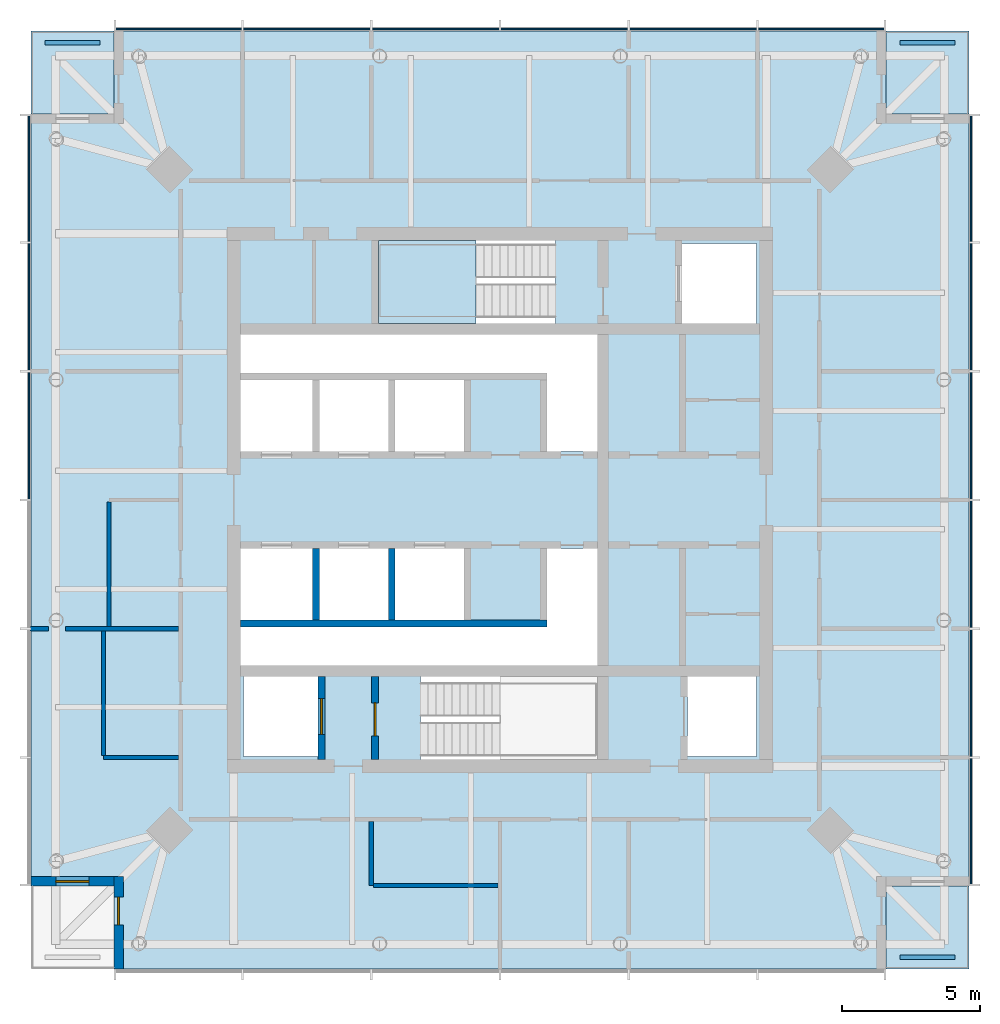
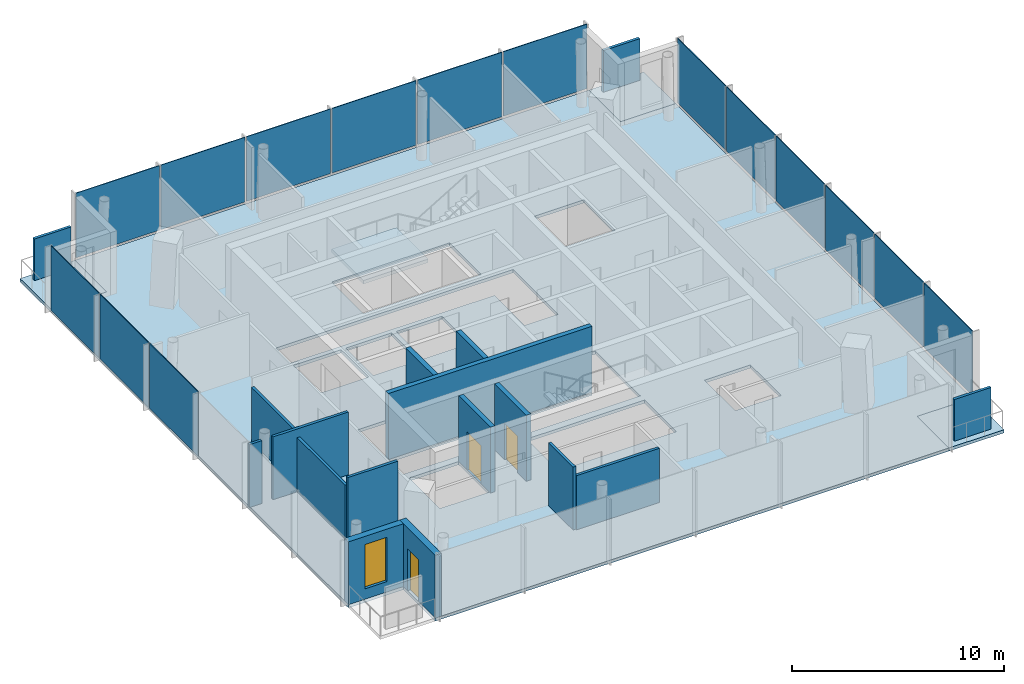
# One storey, part 3 of 7: 18 plates, 14 walls, 5 slabs, 3 doors, 1 window, 4 openings, 4 elements without a shape of their own.
"""IFC4 building model written with IfcOpenShell, lengths in metres."""

from ifc_helpers import new_model, si_unit, direction, frame, frame_2d, origin, origin_2d, place, context, subcontext, project, spatial, polyline, rectangle, outline, extrude, material, layer, layer_set, type_object, element, fill, aggregate, save


model = new_model("IFC4")

# Units and contexts
model_context = context("Model", 3, precision=1e-05, world=origin(), true_north=direction((0.0, 1.0)))
body_context = subcontext(model_context, "Body", "Model", "MODEL_VIEW")
ifc_project = project(units=[si_unit("LENGTHUNIT", "METRE"), si_unit("AREAUNIT", "SQUARE_METRE"), si_unit("VOLUMEUNIT", "CUBIC_METRE"), si_unit("PLANEANGLEUNIT", "RADIAN"), si_unit("MASSUNIT", "GRAM", prefix="KILO")], contexts=[model_context])

# Site, building, storey
site_placement = place(None, origin())
site = spatial("IfcSite", under=ifc_project, at=site_placement, CompositionType="ELEMENT")
building_placement = place(site_placement, origin())
building = spatial("IfcBuilding", under=site, at=building_placement, Name="Ostroluk Exchange", CompositionType="ELEMENT")
storey_placement = place(building_placement, frame((0.0, 0.0, 268.0)))
storey = spatial("IfcBuildingStorey", under=building, at=storey_placement, Name="L69", CompositionType="ELEMENT", Elevation=268.0)

# Slabs
ifc_material_1 = material(Name="Concrete C35/45", Category="concrete")
ifc_layer_1 = layer(ifc_material_1, 0.179931640625)
ifc_layer_set_1 = layer_set([ifc_layer_1], Name="Balcony slab 180")
slab_type_1 = type_object("IfcSlabType", Name="Balcony slab 180", PredefinedType="USERDEFINED", material=ifc_layer_set_1)
slab_1_placement = place(storey_placement, frame((0.0, 0.0, -0.179931640625)))
element("IfcSlab", 1, at=slab_1_placement, inside=storey, type_object=slab_type_1, Name="Office tower SE corner balcony L69", ObjectType="BALCONY", PredefinedType="USERDEFINED", context=body_context, shape_type="SweptSolid", body=[
    extrude(outline(polyline([(59.0, 29.0), (62.0, 29.0), (62.0, 32.0), (59.0, 32.0), (59.0, 29.0)])), origin(), (0.0, 0.0, 1.0), 0.179931640625),
])
slab_2_placement = place(storey_placement, frame((0.0, 0.0, -0.179931640625)))
element("IfcSlab", 2, at=slab_2_placement, inside=storey, type_object=slab_type_1, Name="Office tower NE corner balcony L69", ObjectType="BALCONY", PredefinedType="USERDEFINED", context=body_context, shape_type="SweptSolid", body=[
    extrude(outline(polyline([(59.0, 60.0), (62.0, 60.0), (62.0, 63.0), (59.0, 63.0), (59.0, 60.0)])), origin(), (0.0, 0.0, 1.0), 0.179931640625),
])
slab_3_placement = place(storey_placement, frame((0.0, 0.0, -0.179931640625)))
element("IfcSlab", 3, at=slab_3_placement, inside=storey, type_object=slab_type_1, Name="Office tower NW corner balcony L69", ObjectType="BALCONY", PredefinedType="USERDEFINED", context=body_context, shape_type="SweptSolid", body=[
    extrude(outline(polyline([(28.0, 60.0), (31.0, 60.0), (31.0, 63.0), (28.0, 63.0), (28.0, 60.0)])), origin(), (0.0, 0.0, 1.0), 0.179931640625),
])

# Plates
ifc_material_2 = material(Name="Steel S355 trellis with planting", Category="steel")
ifc_layer_2 = layer(ifc_material_2, 0.14990234375)
ifc_layer_set_2 = layer_set([ifc_layer_2], Name="Planted screen 150")
plate_type_1 = type_object("IfcPlateType", Name="Planted screen 150", PredefinedType="USERDEFINED", material=ifc_layer_set_2)
for number, where, z_axis, x_axis, name in (
    (4, (60.5, 29.425048828125, 0.0), (0.0, 0.0, 1.0), (1.0, 0.0, 0.0), "Office tower SE planted screen L69"),
    (5, (60.5, 62.574951171875, 0.0), (0.0, 0.0, 1.0), (1.0, 0.0, 0.0), "Office tower NE planted screen L69"),
    (6, (29.5, 62.574951171875, 0.0), (0.0, 0.0, 1.0), (1.0, 0.0, 0.0), "Office tower NW planted screen L69"),
):
    element("IfcPlate", number, at=place(storey_placement, frame(where, z_axis=z_axis, x_axis=x_axis)), inside=storey, type_object=plate_type_1, Name=name, ObjectType="PLANTED SCREEN", PredefinedType="USERDEFINED", context=body_context, shape_type="SweptSolid", body=[
        extrude(rectangle(XDim=2.0, YDim=0.14990234375, at=origin_2d()), origin(), (0.0, 0.0, 1.0), 2.39990234375),
    ])

# Stair, slab
ifc_material_3 = material(Name="Concrete C30/37", Category="concrete")
stair_type = type_object("IfcStairType", Name="Exit stair half turn 3800", PredefinedType="HALF_TURN_STAIR", material=ifc_material_3)
stair_placement = place(storey_placement, origin())
stair = element("IfcStair", 7, at=stair_placement, inside=storey, type_object=stair_type, Name="Stair T1-S2 L69", PredefinedType="HALF_TURN_STAIR")
ifc_material_4 = material(Name="Concrete C30/37", Category="concrete")
ifc_layer_3 = layer(ifc_material_4, 0.199951171875)
ifc_layer_set_3 = layer_set([ifc_layer_3], Name="Stair landing 200")
slab_type_2 = type_object("IfcSlabType", Name="Stair landing 200", PredefinedType="LANDING", material=ifc_layer_set_3)
slab_4_placement = place(storey_placement, frame((0.0, 0.0, 1.699951171875)))
slab_4 = element("IfcSlab", 8, at=slab_4_placement, type_object=slab_type_2, Name="T1-S2 landing 1", PredefinedType="LANDING", context=body_context, shape_type="SweptSolid", body=[
    extrude(outline(polyline([(44.1298828125, 52.39990234375), (44.1298828125, 55.39990234375), (40.60009765625, 55.39990234375), (40.60009765625, 52.39990234375), (44.1298828125, 52.39990234375)])), origin(), (0.0, 0.0, 1.0), 0.199951171875),
])
aggregate(stair, [slab_4])

# Slab
ifc_material_5 = material(Name="Concrete C35/45", Category="concrete")
ifc_layer_4 = layer(ifc_material_5, 0.179931640625)
ifc_layer_set_4 = layer_set([ifc_layer_4], Name="Tower floor slab 180 composite")
slab_type_3 = type_object("IfcSlabType", Name="Tower floor slab 180 composite", PredefinedType="FLOOR", material=ifc_layer_set_4)
slab_5_placement = place(storey_placement, frame((0.0, 0.0, -0.179931640625)))
element("IfcSlab", 9, at=slab_5_placement, inside=storey, type_object=slab_type_3, Name="Office tower floor slab L69", PredefinedType="FLOOR", context=body_context, shape_type="SweptSolid", body=[
    extrude(outline(polyline([(31.0, 29.0), (59.0, 29.0), (59.0, 32.0), (62.0, 32.0), (62.0, 60.0), (59.0, 60.0), (59.0, 63.0), (31.0, 63.0), (31.0, 60.0), (28.0, 60.0), (28.0, 32.0), (31.0, 32.0), (31.0, 29.0)]), holes=[polyline([(35.699951171875, 36.699951171875), (38.39990234375, 36.699951171875), (38.39990234375, 39.60009765625), (35.699951171875, 39.60009765625), (35.699951171875, 36.699951171875)]), polyline([(42.110107421875, 36.60009765625), (48.530029296875, 36.60009765625), (48.530029296875, 39.60009765625), (42.110107421875, 39.60009765625), (42.110107421875, 36.60009765625)]), polyline([(51.800048828125, 36.699951171875), (54.300048828125, 36.699951171875), (54.300048828125, 39.60009765625), (51.800048828125, 39.60009765625), (51.800048828125, 36.699951171875)]), polyline([(40.60009765625, 52.39990234375), (47.02001953125, 52.39990234375), (47.02001953125, 55.39990234375), (40.60009765625, 55.39990234375), (40.60009765625, 52.39990234375)]), polyline([(51.60009765625, 52.39990234375), (54.300048828125, 52.39990234375), (54.300048828125, 55.300048828125), (51.60009765625, 55.300048828125), (51.60009765625, 52.39990234375)]), polyline([(35.60009765625, 47.75), (38.199951171875, 47.75), (38.199951171875, 50.35009765625), (35.60009765625, 50.35009765625), (35.60009765625, 47.75)]), polyline([(38.449951171875, 47.75), (40.949951171875, 47.75), (40.949951171875, 50.35009765625), (38.449951171875, 50.35009765625), (38.449951171875, 47.75)]), polyline([(41.199951171875, 47.75), (43.699951171875, 47.75), (43.699951171875, 50.35009765625), (41.199951171875, 50.35009765625), (41.199951171875, 47.75)]), polyline([(35.60009765625, 41.64990234375), (38.199951171875, 41.64990234375), (38.199951171875, 44.25), (35.60009765625, 44.25), (35.60009765625, 41.64990234375)]), polyline([(38.449951171875, 41.64990234375), (40.949951171875, 41.64990234375), (40.949951171875, 44.25), (38.449951171875, 44.25), (38.449951171875, 41.64990234375)]), polyline([(41.199951171875, 41.64990234375), (43.699951171875, 41.64990234375), (43.699951171875, 44.25), (41.199951171875, 44.25), (41.199951171875, 41.64990234375)]), polyline([(48.530029296875, 52.0), (48.530029296875, 47.75), (46.699951171875, 47.75), (46.699951171875, 50.60009765625), (35.60009765625, 50.60009765625), (35.60009765625, 52.0), (48.530029296875, 52.0)]), polyline([(35.60009765625, 40.0), (35.60009765625, 41.39990234375), (46.699951171875, 41.39990234375), (46.699951171875, 44.25), (48.530029296875, 44.25), (48.530029296875, 40.0), (35.60009765625, 40.0)])]), origin(), (0.0, 0.0, 1.0), 0.179931640625),
])

# Curtain wall, plates
ifc_material_6 = material(Name="Laminated clear glass", Category="glass")
curtain_wall_type = type_object("IfcCurtainWallType", Name="Office tower facade", PredefinedType="USERDEFINED", material=ifc_material_6)
curtain_wall_1_placement = place(storey_placement, origin())
curtain_wall_1 = element("IfcCurtainWall", 10, at=curtain_wall_1_placement, inside=storey, type_object=curtain_wall_type, Name="Office tower east facade L69", ObjectType="UNITISED CURTAIN WALL", PredefinedType="USERDEFINED")
ifc_material_7 = material(Name="Laminated clear glass", Category="glass")
ifc_layer_5 = layer(ifc_material_7, 0.0439453125)
ifc_layer_set_5 = layer_set([ifc_layer_5], Name="Triple laminated clear glazing 44")
plate_type_2 = type_object("IfcPlateType", Name="Triple laminated clear glazing 44", PredefinedType="CURTAIN_PANEL", material=ifc_layer_set_5)
plate_1_placement = place(storey_placement, frame((62.074951171875, 34.353271484375, 0.080078125), z_axis=(0.0, 0.0, 1.0), x_axis=(0.0, 1.0, 0.0)))
plate_1 = element("IfcPlate", 11, at=plate_1_placement, type_object=plate_type_2, Name="CW-O1 panel 1.1", PredefinedType="CURTAIN_PANEL", context=body_context, shape_type="SweptSolid", body=[
    extrude(rectangle(XDim=4.546630859375, YDim=0.0439453125, at=origin_2d()), origin(), (0.0, 0.0, 1.0), 3.719970703125),
])
plate_2_placement = place(storey_placement, frame((62.074951171875, 39.0, 0.080078125), z_axis=(0.0, 0.0, 1.0), x_axis=(0.0, 1.0, 0.0)))
plate_2 = element("IfcPlate", 12, at=plate_2_placement, type_object=plate_type_2, Name="CW-O1 panel 2.1", PredefinedType="CURTAIN_PANEL", context=body_context, shape_type="SweptSolid", body=[
    extrude(rectangle(XDim=4.586669921875, YDim=0.0439453125, at=origin_2d()), origin(), (0.0, 0.0, 1.0), 3.719970703125),
])
plate_3_placement = place(storey_placement, frame((62.074951171875, 43.666748046875, 0.080078125), z_axis=(0.0, 0.0, 1.0), x_axis=(0.0, 1.0, 0.0)))
plate_3 = element("IfcPlate", 13, at=plate_3_placement, type_object=plate_type_2, Name="CW-O1 panel 3.1", PredefinedType="CURTAIN_PANEL", context=body_context, shape_type="SweptSolid", body=[
    extrude(rectangle(XDim=4.586669921875, YDim=0.0439453125, at=origin_2d()), origin(), (0.0, 0.0, 1.0), 3.719970703125),
])
plate_4_placement = place(storey_placement, frame((62.074951171875, 48.333251953125, 0.080078125), z_axis=(0.0, 0.0, 1.0), x_axis=(0.0, 1.0, 0.0)))
plate_4 = element("IfcPlate", 14, at=plate_4_placement, type_object=plate_type_2, Name="CW-O1 panel 4.1", PredefinedType="CURTAIN_PANEL", context=body_context, shape_type="SweptSolid", body=[
    extrude(rectangle(XDim=4.586669921875, YDim=0.0439453125, at=origin_2d()), origin(), (0.0, 0.0, 1.0), 3.719970703125),
])
plate_5_placement = place(storey_placement, frame((62.074951171875, 53.0, 0.080078125), z_axis=(0.0, 0.0, 1.0), x_axis=(0.0, 1.0, 0.0)))
plate_5 = element("IfcPlate", 15, at=plate_5_placement, type_object=plate_type_2, Name="CW-O1 panel 5.1", PredefinedType="CURTAIN_PANEL", context=body_context, shape_type="SweptSolid", body=[
    extrude(rectangle(XDim=4.586669921875, YDim=0.0439453125, at=origin_2d()), origin(), (0.0, 0.0, 1.0), 3.719970703125),
])
plate_6_placement = place(storey_placement, frame((62.074951171875, 57.646728515625, 0.080078125), z_axis=(0.0, 0.0, 1.0), x_axis=(0.0, 1.0, 0.0)))
plate_6 = element("IfcPlate", 16, at=plate_6_placement, type_object=plate_type_2, Name="CW-O1 panel 6.1", PredefinedType="CURTAIN_PANEL", context=body_context, shape_type="SweptSolid", body=[
    extrude(rectangle(XDim=4.546630859375, YDim=0.0439453125, at=origin_2d()), origin(), (0.0, 0.0, 1.0), 3.719970703125),
])
aggregate(curtain_wall_1, [plate_1, plate_2, plate_3, plate_4, plate_5, plate_6])

curtain_wall_2_placement = place(storey_placement, origin())
curtain_wall_2 = element("IfcCurtainWall", 17, at=curtain_wall_2_placement, inside=storey, type_object=curtain_wall_type, Name="Office tower north facade L69", ObjectType="UNITISED CURTAIN WALL", PredefinedType="USERDEFINED")
plate_7_placement = place(storey_placement, frame((56.646728515625, 63.074951171875, 0.080078125), z_axis=(0.0, 0.0, 1.0), x_axis=(-1.0, 0.0, 0.0)))
plate_7 = element("IfcPlate", 18, at=plate_7_placement, type_object=plate_type_2, Name="CW-O1 panel 1.1", PredefinedType="CURTAIN_PANEL", context=body_context, shape_type="SweptSolid", body=[
    extrude(rectangle(XDim=4.546630859375, YDim=0.0439453125, at=origin_2d()), origin(), (0.0, 0.0, 1.0), 3.719970703125),
])
plate_8_placement = place(storey_placement, frame((52.0, 63.074951171875, 0.080078125), z_axis=(0.0, 0.0, 1.0), x_axis=(-1.0, 0.0, 0.0)))
plate_8 = element("IfcPlate", 19, at=plate_8_placement, type_object=plate_type_2, Name="CW-O1 panel 2.1", PredefinedType="CURTAIN_PANEL", context=body_context, shape_type="SweptSolid", body=[
    extrude(rectangle(XDim=4.586669921875, YDim=0.0439453125, at=origin_2d()), origin(), (0.0, 0.0, 1.0), 3.719970703125),
])
plate_9_placement = place(storey_placement, frame((47.333251953125, 63.074951171875, 0.080078125), z_axis=(0.0, 0.0, 1.0), x_axis=(-1.0, 0.0, 0.0)))
plate_9 = element("IfcPlate", 20, at=plate_9_placement, type_object=plate_type_2, Name="CW-O1 panel 3.1", PredefinedType="CURTAIN_PANEL", context=body_context, shape_type="SweptSolid", body=[
    extrude(rectangle(XDim=4.586669921875, YDim=0.0439453125, at=origin_2d()), origin(), (0.0, 0.0, 1.0), 3.719970703125),
])
plate_10_placement = place(storey_placement, frame((42.666748046875, 63.074951171875, 0.080078125), z_axis=(0.0, 0.0, 1.0), x_axis=(-1.0, 0.0, 0.0)))
plate_10 = element("IfcPlate", 21, at=plate_10_placement, type_object=plate_type_2, Name="CW-O1 panel 4.1", PredefinedType="CURTAIN_PANEL", context=body_context, shape_type="SweptSolid", body=[
    extrude(rectangle(XDim=4.586669921875, YDim=0.0439453125, at=origin_2d()), origin(), (0.0, 0.0, 1.0), 3.719970703125),
])
plate_11_placement = place(storey_placement, frame((38.0, 63.074951171875, 0.080078125), z_axis=(0.0, 0.0, 1.0), x_axis=(-1.0, 0.0, 0.0)))
plate_11 = element("IfcPlate", 22, at=plate_11_placement, type_object=plate_type_2, Name="CW-O1 panel 5.1", PredefinedType="CURTAIN_PANEL", context=body_context, shape_type="SweptSolid", body=[
    extrude(rectangle(XDim=4.586669921875, YDim=0.0439453125, at=origin_2d()), origin(), (0.0, 0.0, 1.0), 3.719970703125),
])
plate_12_placement = place(storey_placement, frame((33.353271484375, 63.074951171875, 0.080078125), z_axis=(0.0, 0.0, 1.0), x_axis=(-1.0, 0.0, 0.0)))
plate_12 = element("IfcPlate", 23, at=plate_12_placement, type_object=plate_type_2, Name="CW-O1 panel 6.1", PredefinedType="CURTAIN_PANEL", context=body_context, shape_type="SweptSolid", body=[
    extrude(rectangle(XDim=4.546630859375, YDim=0.0439453125, at=origin_2d()), origin(), (0.0, 0.0, 1.0), 3.719970703125),
])
aggregate(curtain_wall_2, [plate_7, plate_8, plate_9, plate_10, plate_11, plate_12])

curtain_wall_3_placement = place(storey_placement, origin())
curtain_wall_3 = element("IfcCurtainWall", 24, at=curtain_wall_3_placement, inside=storey, type_object=curtain_wall_type, Name="Office tower west facade L69", ObjectType="UNITISED CURTAIN WALL", PredefinedType="USERDEFINED")
plate_13_placement = place(storey_placement, frame((27.925048828125, 57.646728515625, 0.080078125), z_axis=(0.0, 0.0, 1.0), x_axis=(0.0, -1.0, 0.0)))
plate_13 = element("IfcPlate", 25, at=plate_13_placement, type_object=plate_type_2, Name="CW-O1 panel 1.1", PredefinedType="CURTAIN_PANEL", context=body_context, shape_type="SweptSolid", body=[
    extrude(rectangle(XDim=4.546630859375, YDim=0.0439453125, at=origin_2d()), origin(), (0.0, 0.0, 1.0), 3.719970703125),
])
plate_14_placement = place(storey_placement, frame((27.925048828125, 53.0, 0.080078125), z_axis=(0.0, 0.0, 1.0), x_axis=(0.0, -1.0, 0.0)))
plate_14 = element("IfcPlate", 26, at=plate_14_placement, type_object=plate_type_2, Name="CW-O1 panel 2.1", PredefinedType="CURTAIN_PANEL", context=body_context, shape_type="SweptSolid", body=[
    extrude(rectangle(XDim=4.586669921875, YDim=0.0439453125, at=origin_2d()), origin(), (0.0, 0.0, 1.0), 3.719970703125),
])
plate_15_placement = place(storey_placement, frame((27.925048828125, 48.333251953125, 0.080078125), z_axis=(0.0, 0.0, 1.0), x_axis=(0.0, -1.0, 0.0)))
plate_15 = element("IfcPlate", 27, at=plate_15_placement, type_object=plate_type_2, Name="CW-O1 panel 3.1", PredefinedType="CURTAIN_PANEL", context=body_context, shape_type="SweptSolid", body=[
    extrude(rectangle(XDim=4.586669921875, YDim=0.0439453125, at=origin_2d()), origin(), (0.0, 0.0, 1.0), 3.719970703125),
])
aggregate(curtain_wall_3, [plate_13, plate_14, plate_15])

# Wall, opening, door
ifc_material_8 = material(Name="Concrete C40/50", Category="concrete")
ifc_layer_6 = layer(ifc_material_8, 0.25)
ifc_layer_set_6 = layer_set([ifc_layer_6], Name="Core shaft wall 250")
wall_type_1 = type_object("IfcWallType", Name="Core shaft wall 250", PredefinedType="SHEAR", material=ifc_layer_set_6)
wall_1_placement = place(storey_placement, frame((38.52490234375, 36.60009765625, 0.0), z_axis=(0.0, 0.0, 1.0), x_axis=(0.0, 1.0, 0.0)))
wall_1 = element("IfcWall", 28, at=wall_1_placement, inside=storey, type_object=wall_type_1, Name="Firefighting lift shaft wall", PredefinedType="SHEAR", context=body_context, shape_type="SweptSolid", body=[
    extrude(rectangle(XDim=3.0, YDim=0.25, at=frame_2d((1.5, 0.0))), origin(), (0.0, 0.0, 1.0), 3.800048828125),
])
opening_1_placement = place(wall_1_placement, frame((0.89990234375, 0.0, 0.0)))
opening_1 = element("IfcOpeningElement", 29, at=opening_1_placement, cuts=wall_1, Name="Opening LD2", PredefinedType="OPENING", context=body_context, shape_type="SweptSolid", body=[
    extrude(rectangle(XDim=1.300048828125, YDim=2.199951171875, at=frame_2d((0.64990234375, 1.10009765625))), frame((0.0, 0.135009765625, 0.0), z_axis=(0.0, -1.0, 0.0), x_axis=(1.0, 0.0, 0.0)), (0.0, 0.0, 1.0), 0.27001953125),
])
ifc_material_9 = material(Name="Stainless steel", Category="steel")
door_type_1 = type_object("IfcDoorType", Name="Lift landing door E 60 1300 x 2200", OperationType="DOUBLE_DOOR_SLIDING", PredefinedType="DOOR", material=ifc_material_9)
door_1_placement = place(opening_1_placement, origin())
door_1 = element("IfcDoor", 30, at=door_1_placement, inside=storey, type_object=door_type_1, Name="Lift FL1 landing door", OperationType="DOUBLE_DOOR_SLIDING", OverallHeight=2.199951171875, OverallWidth=1.300048828125, PredefinedType="DOOR", context=body_context, shape_type="SweptSolid", body=[
    extrude(rectangle(XDim=1.300048828125, YDim=2.199951171875, at=frame_2d((0.64990234375, 1.10009765625))), frame((0.0, 0.02490234375, 0.0), z_axis=(0.0, -1.0, 0.0), x_axis=(1.0, 0.0, 0.0)), (0.0, 0.0, 1.0), 0.050048828125),
])
fill(opening_1, door_1)

wall_2_placement = place(storey_placement, frame((40.47509765625, 36.60009765625, 0.0), z_axis=(0.0, 0.0, 1.0), x_axis=(0.0, 1.0, 0.0)))
wall_2 = element("IfcWall", 31, at=wall_2_placement, inside=storey, type_object=wall_type_1, Name="Stair shaft wall", PredefinedType="SHEAR", context=body_context, shape_type="SweptSolid", body=[
    extrude(rectangle(XDim=3.0, YDim=0.25, at=frame_2d((1.5, 0.0))), origin(), (0.0, 0.0, 1.0), 3.800048828125),
])
opening_2_placement = place(wall_2_placement, frame((0.85009765625, 0.0, 0.0)))
opening_2 = element("IfcOpeningElement", 32, at=opening_2_placement, cuts=wall_2, Name="Opening FD60S", PredefinedType="OPENING", context=body_context, shape_type="SweptSolid", body=[
    extrude(rectangle(XDim=1.199951171875, YDim=2.10009765625, at=frame_2d((0.60009765625, 1.050048828125))), frame((0.0, 0.135009765625, 0.0), z_axis=(0.0, -1.0, 0.0), x_axis=(1.0, 0.0, 0.0)), (0.0, 0.0, 1.0), 0.27001953125),
])
ifc_material_10 = material(Name="Steel", Category="steel")
door_type_2 = type_object("IfcDoorType", Name="Stair door EI 60 1200 x 2100", OperationType="SINGLE_SWING_LEFT", PredefinedType="DOOR", material=ifc_material_10)
door_2_placement = place(opening_2_placement, origin())
door_2 = element("IfcDoor", 33, at=door_2_placement, inside=storey, type_object=door_type_2, Name="Stair T1-S1 door", OperationType="SINGLE_SWING_LEFT", OverallHeight=2.10009765625, OverallWidth=1.199951171875, PredefinedType="DOOR", context=body_context, shape_type="SweptSolid", body=[
    extrude(rectangle(XDim=1.199951171875, YDim=2.10009765625, at=frame_2d((0.60009765625, 1.050048828125))), frame((0.0, 0.02490234375, 0.0), z_axis=(0.0, -1.0, 0.0), x_axis=(1.0, 0.0, 0.0)), (0.0, 0.0, 1.0), 0.050048828125),
])
fill(opening_2, door_2)

# Walls
for number, where, z_axis, x_axis, name in (
    (34, (38.324951171875, 44.25, 0.0), (0.0, 0.0, 1.0), (0.0, -1.0, 0.0), "Lift shaft wall"),
    (35, (41.074951171875, 44.25, 0.0), (0.0, 0.0, 1.0), (0.0, -1.0, 0.0), "Lift shaft wall"),
):
    element("IfcWall", number, at=place(storey_placement, frame(where, z_axis=z_axis, x_axis=x_axis)), inside=storey, type_object=wall_type_1, Name=name, PredefinedType="SHEAR", context=body_context, shape_type="SweptSolid", body=[
        extrude(rectangle(XDim=2.60009765625, YDim=0.25, at=frame_2d((1.300048828125, 0.0))), origin(), (0.0, 0.0, 1.0), 3.800048828125),
    ])
wall_3_placement = place(storey_placement, frame((35.60009765625, 41.52490234375, 0.0), z_axis=(0.0, 0.0, 1.0), x_axis=(1.0, 0.0, 0.0)))
element("IfcWall", 36, at=wall_3_placement, inside=storey, type_object=wall_type_1, Name="Lift shaft wall", PredefinedType="SHEAR", context=body_context, shape_type="SweptSolid", body=[
    extrude(rectangle(XDim=11.099853515625, YDim=0.25, at=frame_2d((5.5498046875, 0.0))), origin(), (0.0, 0.0, 1.0), 3.800048828125),
])

# Wall, opening, door
ifc_material_11 = material(Name="Limestone", Category="masonry")
ifc_layer_7 = layer(ifc_material_11, 0.35009765625)
ifc_layer_set_7 = layer_set([ifc_layer_7], Name="Limestone facade wall 350")
wall_type_2 = type_object("IfcWallType", Name="Limestone facade wall 350", PredefinedType="SOLIDWALL", material=ifc_layer_set_7)
wall_4_placement = place(storey_placement, frame((31.175048828125, 29.0, 0.0), z_axis=(0.0, 0.0, 1.0), x_axis=(0.0, 1.0, 0.0)))
wall_4 = element("IfcWall", 37, at=wall_4_placement, inside=storey, type_object=wall_type_2, Name="Office tower SW corner wall L69 a", PredefinedType="SOLIDWALL", context=body_context, shape_type="SweptSolid", body=[
    extrude(rectangle(XDim=3.35009765625, YDim=0.35009765625, at=frame_2d((1.675048828125, 0.0))), origin(), (0.0, 0.0, 1.0), 3.6201171875),
])
opening_3_placement = place(wall_4_placement, frame((1.60009765625, 0.0, 0.0)))
opening_3 = element("IfcOpeningElement", 38, at=opening_3_placement, cuts=wall_4, Name="Opening D-B1", PredefinedType="OPENING", context=body_context, shape_type="SweptSolid", body=[
    extrude(rectangle(XDim=1.0, YDim=2.39990234375, at=frame_2d((0.5, 1.199951171875))), frame((0.0, 0.18505859375, 0.0), z_axis=(0.0, -1.0, 0.0), x_axis=(1.0, 0.0, 0.0)), (0.0, 0.0, 1.0), 0.3701171875),
])
ifc_material_12 = material(Name="Bronze framed glazed door", Category="aluminium")
door_type_3 = type_object("IfcDoorType", Name="Balcony door 1000 x 2400", OperationType="SINGLE_SWING_LEFT", PredefinedType="DOOR", material=ifc_material_12)
door_3_placement = place(opening_3_placement, origin())
door_3 = element("IfcDoor", 39, at=door_3_placement, inside=storey, type_object=door_type_3, Name="Office tower SW balcony door L69", OperationType="SINGLE_SWING_RIGHT", OverallHeight=2.39990234375, OverallWidth=1.0, PredefinedType="DOOR", context=body_context, shape_type="SweptSolid", body=[
    extrude(rectangle(XDim=1.0, YDim=2.39990234375, at=frame_2d((0.5, 1.199951171875))), frame((0.0, 0.02490234375, 0.0), z_axis=(0.0, -1.0, 0.0), x_axis=(1.0, 0.0, 0.0)), (0.0, 0.0, 1.0), 0.050048828125),
])
fill(opening_3, door_3)

# Wall, opening, window
wall_5_placement = place(storey_placement, frame((31.0, 32.175048828125, 0.0), z_axis=(0.0, 0.0, 1.0), x_axis=(-1.0, 0.0, 0.0)))
wall_5 = element("IfcWall", 40, at=wall_5_placement, inside=storey, type_object=wall_type_2, Name="Office tower SW corner wall L69 b", PredefinedType="SOLIDWALL", context=body_context, shape_type="SweptSolid", body=[
    extrude(rectangle(XDim=3.0, YDim=0.35009765625, at=frame_2d((1.5, 0.0))), origin(), (0.0, 0.0, 1.0), 3.6201171875),
])
opening_4_placement = place(wall_5_placement, frame((0.89990234375, 0.0, 0.60009765625)))
opening_4 = element("IfcOpeningElement", 41, at=opening_4_placement, cuts=wall_5, Name="Opening WN-L1", PredefinedType="OPENING", context=body_context, shape_type="SweptSolid", body=[
    extrude(rectangle(XDim=1.199951171875, YDim=2.550048828125, at=frame_2d((0.60009765625, 1.27490234375))), frame((0.0, 0.18505859375, 0.0), z_axis=(0.0, -1.0, 0.0), x_axis=(1.0, 0.0, 0.0)), (0.0, 0.0, 1.0), 0.3701171875),
])
ifc_material_13 = material(Name="Laminated clear glass", Category="glass")
window_type = type_object("IfcWindowType", Name="Lancet window 1200 x 2550", PartitioningType="SINGLE_PANEL", PredefinedType="WINDOW", material=ifc_material_13)
window_placement = place(opening_4_placement, origin())
window = element("IfcWindow", 42, at=window_placement, inside=storey, type_object=window_type, Name="Office tower SW lancet window L69", OverallHeight=2.550048828125, OverallWidth=1.199951171875, PartitioningType="SINGLE_PANEL", PredefinedType="WINDOW", context=body_context, shape_type="SweptSolid", body=[
    extrude(rectangle(XDim=1.199951171875, YDim=2.550048828125, at=frame_2d((0.60009765625, 1.27490234375))), frame((0.0, 0.030029296875, 0.0), z_axis=(0.0, -1.0, 0.0), x_axis=(1.0, 0.0, 0.0)), (0.0, 0.0, 1.0), 0.06005859375),
])
fill(opening_4, window)

# Walls
ifc_material_14 = material(Name="Gypsum plasterboard partition", Category="gypsum")
ifc_layer_8 = layer(ifc_material_14, 0.14990234375)
ifc_layer_set_8 = layer_set([ifc_layer_8], Name="Plasterboard partition 150")
wall_type_3 = type_object("IfcWallType", Name="Plasterboard partition 150", PredefinedType="PARTITIONING", material=ifc_layer_set_8)
wall_6_placement = place(storey_placement, frame((33.35009765625, 41.333251953125, 0.0), z_axis=(0.0, 0.0, 1.0), x_axis=(-1.0, 0.0, 0.0)))
element("IfcWall", 43, at=wall_6_placement, inside=storey, type_object=wall_type_3, Name="Partition", PredefinedType="PARTITIONING", context=body_context, shape_type="SweptSolid", body=[
    extrude(rectangle(XDim=4.109130859375, YDim=0.14990234375, at=frame_2d((2.0546875, 0.0))), origin(), (0.0, 0.0, 1.0), 3.6201171875),
])
wall_7_placement = place(storey_placement, frame((28.638916015625, 41.333251953125, 0.0), z_axis=(0.0, 0.0, 1.0), x_axis=(-1.0, 0.0, 0.0)))
element("IfcWall", 44, at=wall_7_placement, inside=storey, type_object=wall_type_3, Name="Partition", PredefinedType="PARTITIONING", context=body_context, shape_type="SweptSolid", body=[
    extrude(rectangle(XDim=0.678955078125, YDim=0.14990234375, at=frame_2d((0.33935546875, 0.0))), origin(), (0.0, 0.0, 1.0), 3.6201171875),
])
wall_8_placement = place(storey_placement, frame((33.35009765625, 36.666748046875, 0.0), z_axis=(0.0, 0.0, 1.0), x_axis=(-1.0, 0.0, 0.0)))
element("IfcWall", 45, at=wall_8_placement, inside=storey, type_object=wall_type_3, Name="Partition", PredefinedType="PARTITIONING", context=body_context, shape_type="SweptSolid", body=[
    extrude(rectangle(XDim=2.72509765625, YDim=0.14990234375, at=frame_2d((1.362548828125, 0.0))), origin(), (0.0, 0.0, 1.0), 3.6201171875),
])
wall_9_placement = place(storey_placement, frame((40.408447265625, 32.02490234375, 0.0), z_axis=(0.0, 0.0, 1.0), x_axis=(1.0, 0.0, 0.0)))
element("IfcWall", 46, at=wall_9_placement, inside=storey, type_object=wall_type_3, Name="Partition", PredefinedType="PARTITIONING", context=body_context, shape_type="SweptSolid", body=[
    extrude(rectangle(XDim=4.5166015625, YDim=0.14990234375, at=frame_2d((2.25830078125, 0.0))), origin(), (0.0, 0.0, 1.0), 3.1201171875),
])
wall_10_placement = place(storey_placement, frame((40.333251953125, 34.35009765625, 0.0), z_axis=(0.0, 0.0, 1.0), x_axis=(0.0, -1.0, 0.0)))
element("IfcWall", 47, at=wall_10_placement, inside=storey, type_object=wall_type_3, Name="Partition", PredefinedType="PARTITIONING", context=body_context, shape_type="SweptSolid", body=[
    extrude(rectangle(XDim=2.3251953125, YDim=0.14990234375, at=frame_2d((1.16259765625, 0.0))), origin(), (0.0, 0.0, 1.0), 3.6201171875),
])
ifc_material_15 = material(Name="Gypsum plasterboard partition, moisture resistant", Category="gypsum")
ifc_layer_9 = layer(ifc_material_15, 0.14990234375)
ifc_layer_set_9 = layer_set([ifc_layer_9], Name="Plasterboard toilet partition 150")
wall_type_4 = type_object("IfcWallType", Name="Plasterboard toilet partition 150", PredefinedType="PARTITIONING", material=ifc_layer_set_9)
for number, where, z_axis, x_axis, name in (
    (48, (30.824951171875, 45.925048828125, 0.0), (0.0, 0.0, 1.0), (0.0, -1.0, 0.0), "Toilet partition"),
    (49, (30.625, 41.25830078125, 0.0), (0.0, 0.0, 1.0), (0.0, -1.0, 0.0), "Toilet partition"),
):
    element("IfcWall", number, at=place(storey_placement, frame(where, z_axis=z_axis, x_axis=x_axis)), inside=storey, type_object=wall_type_4, Name=name, PredefinedType="PARTITIONING", context=body_context, shape_type="SweptSolid", body=[
        extrude(rectangle(XDim=4.5166015625, YDim=0.14990234375, at=frame_2d((2.25830078125, 0.0))), origin(), (0.0, 0.0, 1.0), 3.1201171875),
    ])

save(model, "model.ifc")
